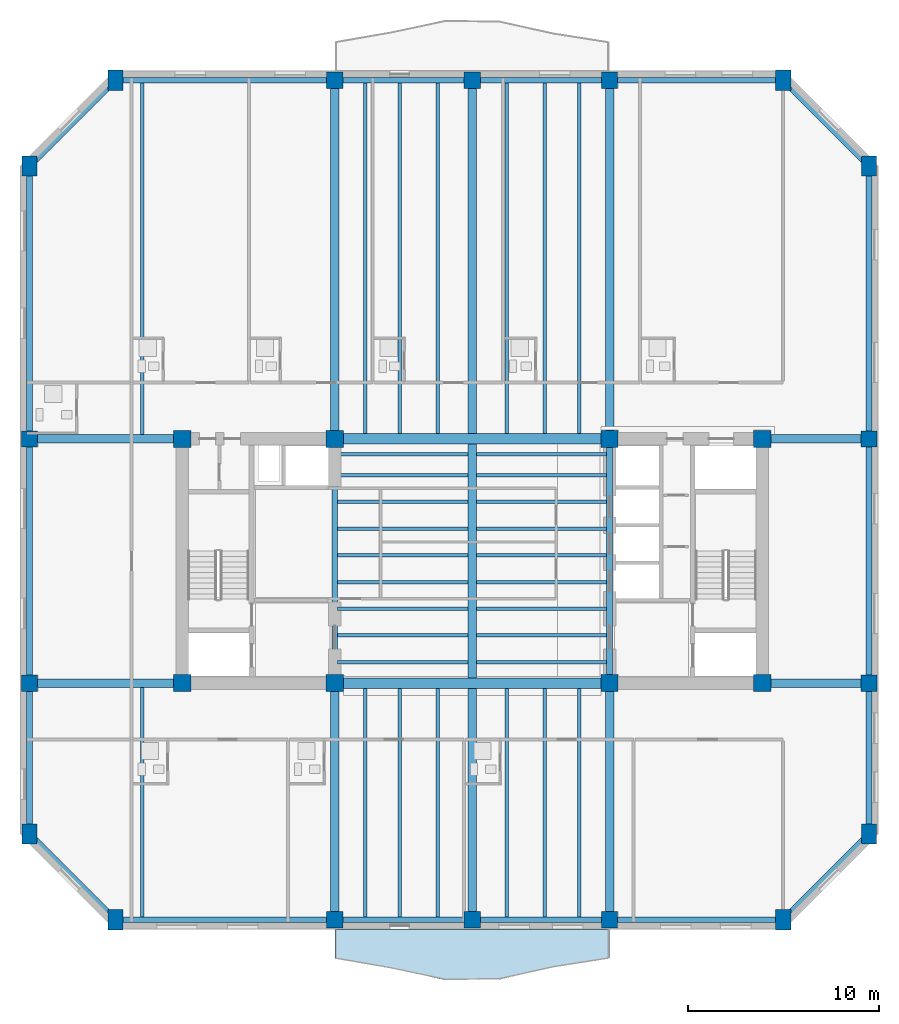
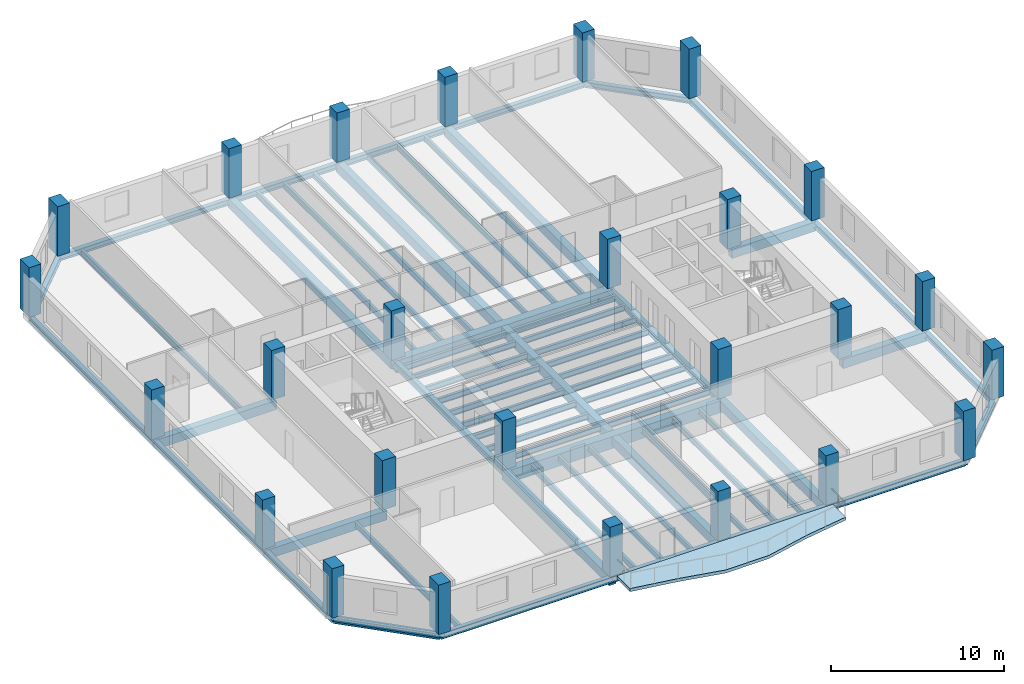
# One storey, part 1 of 10: 65 beams, 26 columns, 1 slab.
"""IFC4 building model written with IfcOpenShell, lengths in metres."""

import ifcopenshell
import ifcopenshell.guid

model = None  # the IFC model being written
_history = None  # IfcOwnerHistory: only IFC2X3 demands one
_inside = {}  # id of a spatial element -> (the spatial element, [elements in it])
_under = {}  # id of a project, library or spatial element -> (it, [spatial elements below it])
_declared = {}  # id of a project -> (the project, [libraries it declares])
_typed = {}  # id of a type object -> (the type object, [elements of that type])
_made_of = {}  # id of a material, layer set ... -> (it, [elements and type objects made of it])


def new_model(schema):
    """Start an empty IFC model of exactly this schema.

    Asked for "IFC4X3", IfcOpenShell would pick the latest addendum, in which some entities
    have other attributes; the version numbers below select the first issue.
    IFC2X3 requires an IfcOwnerHistory on every rooted entity: one is made here for all.
    """
    global model, _history
    if schema == "IFC4X3":
        model = ifcopenshell.file(schema_version=(4, 3, 0, 0))
    else:
        model = ifcopenshell.file(schema=schema)
    _inside.clear()
    _under.clear()
    _declared.clear()
    _typed.clear()
    _made_of.clear()
    _history = None
    if model.schema == "IFC2X3":
        org = make("IfcOrganization", Name="unknown")
        user = make(
            "IfcPersonAndOrganization",
            ThePerson=make("IfcPerson", FamilyName="unknown"),
            TheOrganization=org,
        )
        app = make(
            "IfcApplication",
            ApplicationDeveloper=org,
            Version="unknown",
            ApplicationFullName="unknown",
            ApplicationIdentifier="unknown",
        )
        _history = make(
            "IfcOwnerHistory",
            OwningUser=user,
            OwningApplication=app,
            ChangeAction="ADDED",
            CreationDate=0,
        )
    return model


def make(cls, **values):
    """One entity of the class cls with the attributes given. An attribute that is None is left unset."""
    return model.create_entity(
        cls, **{name: value for name, value in values.items() if value is not None}
    )


def rooted(cls, **values):
    """An entity with a GlobalId (a new one), such as an element, a storey or a relation."""
    return make(cls, GlobalId=ifcopenshell.guid.new(), OwnerHistory=_history, **values)


def si_unit(unit_type, name, prefix=None):
    """IfcSIUnit, for example si_unit("LENGTHUNIT", "METRE", prefix="MILLI")."""
    return make("IfcSIUnit", UnitType=unit_type, Prefix=prefix, Name=name)


def assignment(units):
    """IfcUnitAssignment: the units of a project."""
    return None if units is None else make("IfcUnitAssignment", Units=units)


def point(xyz):
    """IfcCartesianPoint."""
    return None if xyz is None else make("IfcCartesianPoint", Coordinates=xyz)


def direction(xyz):
    """IfcDirection."""
    return None if xyz is None else make("IfcDirection", DirectionRatios=xyz)


def frame(location, z_axis=None, x_axis=None):
    """IfcAxis2Placement3D, a coordinate frame: its origin and axes. An axis left out is left unset."""
    return make(
        "IfcAxis2Placement3D",
        Location=point(location),
        Axis=direction(z_axis),
        RefDirection=direction(x_axis),
    )


def frame_2d(location, x_axis=None):
    """IfcAxis2Placement2D, a coordinate frame in the plane: its origin and x axis."""
    return make(
        "IfcAxis2Placement2D", Location=point(location), RefDirection=direction(x_axis)
    )


def origin():
    """The frame at (0, 0, 0) with its axes left unset."""
    return frame((0.0, 0.0, 0.0))


def origin_2d():
    """The frame at (0, 0) in the plane with its x axis left unset."""
    return frame_2d((0.0, 0.0))


def place(relative_to, where):
    """IfcLocalPlacement: puts the frame where relative to a parent placement (None: the world)."""
    return make(
        "IfcLocalPlacement", PlacementRelTo=relative_to, RelativePlacement=where
    )


def context(
    kind, dimensions, precision=None, world=None, true_north=None, identifier=None
):
    """IfcGeometricRepresentationContext, for example the 3D "Model" context."""
    return make(
        "IfcGeometricRepresentationContext",
        ContextIdentifier=identifier,
        ContextType=kind,
        CoordinateSpaceDimension=dimensions,
        Precision=precision,
        WorldCoordinateSystem=world,
        TrueNorth=true_north,
    )


def subcontext(parent, identifier, kind, view, scale=None):
    """IfcGeometricRepresentationSubContext, for example "Body" below "Model"."""
    return make(
        "IfcGeometricRepresentationSubContext",
        ContextIdentifier=identifier,
        ContextType=kind,
        ParentContext=parent,
        TargetScale=scale,
        TargetView=view,
    )


def project(units=None, contexts=None):
    """IfcProject with its units and contexts."""
    return rooted(
        "IfcProject",
        Name="project",
        RepresentationContexts=contexts,
        UnitsInContext=assignment(units),
    )


def spatial(cls, under=None, at=None, **own):
    """A site, building, storey or space (cls), placed at a placement, below another one or the project."""
    s = rooted(cls, ObjectPlacement=at, **own)
    if under is not None:
        _under.setdefault(under.id(), (under, []))[1].append(s)
    return s


def polyline(points):
    """IfcPolyline through the points."""
    return make("IfcPolyline", Points=[point(p) for p in points])


def profile(cls, at=None, kind="AREA", **sizes):
    """A parametric profile (cls). Its sizes go by their IFC names, for example OverallWidth=200.0."""
    return make(cls, ProfileType=kind, Position=at, **sizes)


def rectangle(**sizes):
    """IfcRectangleProfileDef."""
    return profile("IfcRectangleProfileDef", **sizes)


def i_section(**sizes):
    """IfcIShapeProfileDef."""
    return profile("IfcIShapeProfileDef", **sizes)


def outline(outer, holes=None, kind="AREA"):
    """IfcArbitraryClosedProfileDef: a profile drawn as a closed curve; with holes, ...WithVoids."""
    if holes is None:
        return make("IfcArbitraryClosedProfileDef", ProfileType=kind, OuterCurve=outer)
    return make(
        "IfcArbitraryProfileDefWithVoids",
        ProfileType=kind,
        OuterCurve=outer,
        InnerCurves=holes,
    )


def extrude(swept, where, along, depth):
    """IfcExtrudedAreaSolid: the profile swept, set in the frame where, extruded along a direction by depth."""
    return make(
        "IfcExtrudedAreaSolid",
        SweptArea=swept,
        Position=where,
        ExtrudedDirection=direction(along),
        Depth=depth,
    )


def shape(context_of_items, identifier, shape_type, items):
    """IfcShapeRepresentation: the items that make up one representation, for example the "Body"."""
    return make(
        "IfcShapeRepresentation",
        ContextOfItems=context_of_items,
        RepresentationIdentifier=identifier,
        RepresentationType=shape_type,
        Items=items,
    )


def material(Name=None, Category=None):
    """IfcMaterial."""
    return make("IfcMaterial", Name=Name, Category=Category)


def layer(
    of_material, thickness, ventilated=None, Name=None, Category=None, Priority=None
):
    """IfcMaterialLayer: one layer of a wall or slab, of a material (None: an air gap)."""
    return make(
        "IfcMaterialLayer",
        Material=of_material,
        LayerThickness=thickness,
        IsVentilated=ventilated,
        Name=Name,
        Category=Category,
        Priority=Priority,
    )


def layer_set(layers, Name=None):
    """IfcMaterialLayerSet."""
    return make("IfcMaterialLayerSet", MaterialLayers=layers, LayerSetName=Name)


def material_profile(
    of_material, cross_section, Name=None, Category=None, Priority=None
):
    """IfcMaterialProfile: a cross section and its material."""
    return make(
        "IfcMaterialProfile",
        Name=Name,
        Material=of_material,
        Profile=cross_section,
        Priority=Priority,
        Category=Category,
    )


def profile_set(profiles, Name=None, composite=None):
    """IfcMaterialProfileSet."""
    return make(
        "IfcMaterialProfileSet",
        Name=Name,
        MaterialProfiles=profiles,
        CompositeProfile=composite,
    )


def made_of(thing, what):
    """Note that an element or type object is made of a material, layer set ...; save() writes the relation."""
    if what is not None:
        _made_of.setdefault(what.id(), (what, []))[1].append(thing)
    return thing


def type_object(cls, material=None, **own):
    """A type object (cls), such as IfcWallType, which elements share."""
    return made_of(rooted(cls, **own), material)


def element(
    cls,
    number,
    at=None,
    inside=None,
    cuts=None,
    type_object=None,
    material=None,
    context=None,
    identifier="Body",
    shape_type=None,
    held_by="IfcProductDefinitionShape",
    body=None,
    shapes=None,
    **own,
):
    """One element of the class cls, such as IfcWall. Its Tag is "e" and its number.

    at: its placement. inside: the storey or other place that contains it. cuts: it is an
    opening in that element (IfcRelVoidsElement). A single representation is given by context,
    identifier, shape_type and body (its items); several are given by shapes. held_by: the class
    of the entity that holds the representations. save() writes the other relations.
    """
    e = rooted(cls, Tag="e%d" % number, ObjectPlacement=at, **own)
    if body is not None:
        shapes = [shape(context, identifier, shape_type, body)]
    if shapes is not None:
        e.Representation = make(held_by, Representations=shapes)
    if inside is not None:
        _inside.setdefault(inside.id(), (inside, []))[1].append(e)
    if cuts is not None:
        rooted(
            "IfcRelVoidsElement", RelatingBuildingElement=cuts, RelatedOpeningElement=e
        )
    if type_object is not None:
        _typed.setdefault(type_object.id(), (type_object, []))[1].append(e)
    return made_of(e, material)


def aggregate(whole, parts):
    """IfcRelAggregates: a whole, such as a stair, and the parts it consists of."""
    return rooted("IfcRelAggregates", RelatingObject=whole, RelatedObjects=parts)


def save(model, path):
    """Write the relations noted so far, then the file.

    IfcRelAggregates (storeys below a building ...), IfcRelContainedInSpatialStructure (elements
    in a storey), IfcRelDefinesByType, IfcRelAssociatesMaterial and IfcRelDeclares: one each for
    every whole, place, type object, material and project.
    """
    for whole, parts in _under.values():
        aggregate(whole, parts)
    for where, things in _inside.values():
        rooted(
            "IfcRelContainedInSpatialStructure",
            RelatedElements=things,
            RelatingStructure=where,
        )
    for kind, things in _typed.values():
        rooted("IfcRelDefinesByType", RelatedObjects=things, RelatingType=kind)
    for what, things in _made_of.values():
        rooted("IfcRelAssociatesMaterial", RelatedObjects=things, RelatingMaterial=what)
    for by, libraries in _declared.values():
        rooted("IfcRelDeclares", RelatingContext=by, RelatedDefinitions=libraries)
    model.write(path)


model = new_model("IFC4")

# Units and contexts
model_context = context("Model", 3, precision=1e-05, world=origin(), true_north=direction((0.0, 1.0)))
body_context = subcontext(model_context, "Body", "Model", "MODEL_VIEW")
ifc_project = project(units=[si_unit("LENGTHUNIT", "METRE"), si_unit("AREAUNIT", "SQUARE_METRE"), si_unit("VOLUMEUNIT", "CUBIC_METRE"), si_unit("PLANEANGLEUNIT", "RADIAN"), si_unit("MASSUNIT", "GRAM", prefix="KILO")], contexts=[model_context])

# Site, building, storey
site_placement = place(None, origin())
site = spatial("IfcSite", under=ifc_project, at=site_placement, CompositionType="ELEMENT")
building_placement = place(site_placement, origin())
building = spatial("IfcBuilding", under=site, at=building_placement, Name="Kranthara Brick Stack", CompositionType="ELEMENT")
storey_placement = place(building_placement, frame((0.0, 0.0, 186.800048828125)))
storey = spatial("IfcBuildingStorey", under=building, at=storey_placement, Name="L48", CompositionType="ELEMENT", Elevation=186.800048828125)

# Columns
ifc_material_1 = material(Name="Concrete C60/75", Category="concrete")
ifc_material_profile_1 = material_profile(ifc_material_1, rectangle(XDim=0.800048828125, YDim=1.050048828125, at=origin_2d()), Name="RC 800x1050")
ifc_profile_set_1 = profile_set([ifc_material_profile_1], Name="Concrete C60/75")
column_type_1 = type_object("IfcColumnType", Name="COL-CHAM-800x1050", PredefinedType="COLUMN", material=ifc_profile_set_1)
for number, where, z_axis, x_axis, name in (
    (1, (9.300048828125, 8.39990234375, 0.0), (0.0, 0.0, 1.0), (1.0, 0.0, 0.0), "L48 Column 09"),
    (2, (9.300048828125, 52.39990234375, 0.0), (0.0, 0.0, 1.0), (1.0, 0.0, 0.0), "L48 Column 10"),
    (3, (44.300048828125, 8.39990234375, 0.0), (0.0, 0.0, 1.0), (1.0, 0.0, 0.0), "L48 Column 17"),
    (4, (44.300048828125, 52.39990234375, 0.0), (0.0, 0.0, 1.0), (1.0, 0.0, 0.0), "L48 Column 18"),
    (5, (4.800048828125, 12.89990234375, 0.0), (0.0, 0.0, 1.0), (1.0, 0.0, 0.0), "L48 Column 19"),
    (6, (48.800048828125, 12.89990234375, 0.0), (0.0, 0.0, 1.0), (1.0, 0.0, 0.0), "L48 Column 20"),
    (7, (4.800048828125, 47.89990234375, 0.0), (0.0, 0.0, 1.0), (1.0, 0.0, 0.0), "L48 Column 25"),
    (8, (48.800048828125, 47.89990234375, 0.0), (0.0, 0.0, 1.0), (1.0, 0.0, 0.0), "L48 Column 26"),
):
    element("IfcColumn", number, at=place(storey_placement, frame(where, z_axis=z_axis, x_axis=x_axis)), inside=storey, type_object=column_type_1, Name=name, PredefinedType="COLUMN", context=body_context, shape_type="SweptSolid", body=[
        extrude(rectangle(XDim=0.800048828125, YDim=1.050048828125, at=origin_2d()), origin(), (0.0, 0.0, 1.0), 3.5),
    ])
ifc_material_2 = material(Name="Concrete C60/75", Category="concrete")
ifc_material_profile_2 = material_profile(ifc_material_2, rectangle(XDim=0.89990234375, YDim=0.89990234375, at=origin_2d()), Name="RC 900x900")
ifc_profile_set_2 = profile_set([ifc_material_profile_2], Name="Concrete C60/75")
column_type_2 = type_object("IfcColumnType", Name="COL-CORE-900", PredefinedType="COLUMN", material=ifc_profile_set_2)
for number, where, z_axis, x_axis, name in (
    (9, (12.800048828125, 20.800048828125, 0.0), (0.0, 0.0, 1.0), (1.0, 0.0, 0.0), "L48 Column 01"),
    (10, (20.800048828125, 20.800048828125, 0.0), (0.0, 0.0, 1.0), (1.0, 0.0, 0.0), "L48 Column 02"),
    (11, (12.800048828125, 33.60009765625, 0.0), (0.0, 0.0, 1.0), (1.0, 0.0, 0.0), "L48 Column 03"),
    (12, (20.800048828125, 33.60009765625, 0.0), (0.0, 0.0, 1.0), (1.0, 0.0, 0.0), "L48 Column 04"),
    (13, (35.199951171875, 20.800048828125, 0.0), (0.0, 0.0, 1.0), (1.0, 0.0, 0.0), "L48 Column 05"),
    (14, (43.199951171875, 20.800048828125, 0.0), (0.0, 0.0, 1.0), (1.0, 0.0, 0.0), "L48 Column 06"),
    (15, (35.199951171875, 33.60009765625, 0.0), (0.0, 0.0, 1.0), (1.0, 0.0, 0.0), "L48 Column 07"),
    (16, (43.199951171875, 33.60009765625, 0.0), (0.0, 0.0, 1.0), (1.0, 0.0, 0.0), "L48 Column 08"),
):
    element("IfcColumn", number, at=place(storey_placement, frame(where, z_axis=z_axis, x_axis=x_axis)), inside=storey, type_object=column_type_2, Name=name, PredefinedType="COLUMN", context=body_context, shape_type="SweptSolid", body=[
        extrude(rectangle(XDim=0.89990234375, YDim=0.89990234375, at=origin_2d()), origin(), (0.0, 0.0, 1.0), 3.5),
    ])
ifc_material_3 = material(Name="Concrete C50/60", Category="concrete")
ifc_material_profile_3 = material_profile(ifc_material_3, rectangle(XDim=0.85009765625, YDim=0.85009765625, at=origin_2d()), Name="RC 850x850")
ifc_profile_set_3 = profile_set([ifc_material_profile_3], Name="Concrete C50/60")
column_type_3 = type_object("IfcColumnType", Name="COL-PER-850", PredefinedType="COLUMN", material=ifc_profile_set_3)
for number, where, z_axis, x_axis, name in (
    (17, (20.800048828125, 8.39990234375, 0.0), (0.0, 0.0, 1.0), (1.0, 0.0, 0.0), "L48 Column 11"),
    (18, (20.800048828125, 52.39990234375, 0.0), (0.0, 0.0, 1.0), (1.0, 0.0, 0.0), "L48 Column 12"),
    (19, (28.0, 8.39990234375, 0.0), (0.0, 0.0, 1.0), (1.0, 0.0, 0.0), "L48 Column 13"),
    (20, (28.0, 52.39990234375, 0.0), (0.0, 0.0, 1.0), (1.0, 0.0, 0.0), "L48 Column 14"),
    (21, (35.199951171875, 8.39990234375, 0.0), (0.0, 0.0, 1.0), (1.0, 0.0, 0.0), "L48 Column 15"),
    (22, (35.199951171875, 52.39990234375, 0.0), (0.0, 0.0, 1.0), (1.0, 0.0, 0.0), "L48 Column 16"),
    (23, (4.800048828125, 20.800048828125, 0.0), (0.0, 0.0, 1.0), (1.0, 0.0, 0.0), "L48 Column 21"),
    (24, (48.800048828125, 20.800048828125, 0.0), (0.0, 0.0, 1.0), (1.0, 0.0, 0.0), "L48 Column 22"),
    (25, (4.800048828125, 33.60009765625, 0.0), (0.0, 0.0, 1.0), (1.0, 0.0, 0.0), "L48 Column 23"),
    (26, (48.800048828125, 33.60009765625, 0.0), (0.0, 0.0, 1.0), (1.0, 0.0, 0.0), "L48 Column 24"),
):
    element("IfcColumn", number, at=place(storey_placement, frame(where, z_axis=z_axis, x_axis=x_axis)), inside=storey, type_object=column_type_3, Name=name, PredefinedType="COLUMN", context=body_context, shape_type="SweptSolid", body=[
        extrude(rectangle(XDim=0.85009765625, YDim=0.85009765625, at=origin_2d()), origin(), (0.0, 0.0, 1.0), 3.5),
    ])

# Beams
ifc_material_4 = material(Name="Concrete C50/60", Category="concrete")
ifc_material_profile_4 = material_profile(ifc_material_4, rectangle(XDim=0.550048828125, YDim=0.85009765625, at=origin_2d()), Name="RC 550x850")
ifc_profile_set_4 = profile_set([ifc_material_profile_4], Name="Concrete C50/60")
beam_type_1 = type_object("IfcBeamType", Name="BM-CPL-RC850", PredefinedType="LINTEL", material=ifc_profile_set_4)
for number, where, z_axis, x_axis, name in (
    (27, (20.800048828125, 20.800048828125, -0.72509765625), (1.0, 0.0, 0.0), (0.0, 1.0, 0.0), "L48 Core Coupling Beam 001"),
    (28, (20.800048828125, 33.60009765625, -0.72509765625), (1.0, 0.0, 0.0), (0.0, 1.0, 0.0), "L48 Core Coupling Beam 002"),
):
    element("IfcBeam", number, at=place(storey_placement, frame(where, z_axis=z_axis, x_axis=x_axis)), inside=storey, type_object=beam_type_1, Name=name, PredefinedType="LINTEL", context=body_context, shape_type="SweptSolid", body=[
        extrude(rectangle(XDim=0.550048828125, YDim=0.85009765625, at=origin_2d()), origin(), (0.0, 0.0, 1.0), 14.39990234375),
    ])
ifc_material_5 = material(Name="Post-tensioned concrete C45/55", Category="concrete")
ifc_material_profile_5 = material_profile(ifc_material_5, rectangle(XDim=0.449951171875, YDim=0.64990234375, at=origin_2d()), Name="PT 450x650")
ifc_profile_set_5 = profile_set([ifc_material_profile_5], Name="Post-tensioned concrete C45/55")
beam_type_2 = type_object("IfcBeamType", Name="BM-FLR-PT650", PredefinedType="BEAM", material=ifc_profile_set_5)
beam_1_placement = place(storey_placement, frame((20.800048828125, 8.39990234375, -0.625), z_axis=(0.0, 1.0, 0.0), x_axis=(-1.0, 0.0, 0.0)))
element("IfcBeam", 29, at=beam_1_placement, inside=storey, type_object=beam_type_2, Name="L48 Primary Grid Girder 023", PredefinedType="BEAM", context=body_context, shape_type="SweptSolid", body=[
    extrude(rectangle(XDim=0.449951171875, YDim=0.64990234375, at=origin_2d()), origin(), (0.0, 0.0, 1.0), 12.400146484375),
])
beam_2_placement = place(storey_placement, frame((20.800048828125, 33.60009765625, -0.625), z_axis=(0.0, 1.0, 0.0), x_axis=(-1.0, 0.0, 0.0)))
element("IfcBeam", 30, at=beam_2_placement, inside=storey, type_object=beam_type_2, Name="L48 Primary Grid Girder 024", PredefinedType="BEAM", context=body_context, shape_type="SweptSolid", body=[
    extrude(rectangle(XDim=0.449951171875, YDim=0.64990234375, at=origin_2d()), origin(), (0.0, 0.0, 1.0), 18.7998046875),
])
beam_3_placement = place(storey_placement, frame((28.0, 8.39990234375, -0.625), z_axis=(0.0, 1.0, 0.0), x_axis=(-1.0, 0.0, 0.0)))
element("IfcBeam", 31, at=beam_3_placement, inside=storey, type_object=beam_type_2, Name="L48 Primary Grid Girder 025", PredefinedType="BEAM", context=body_context, shape_type="SweptSolid", body=[
    extrude(rectangle(XDim=0.449951171875, YDim=0.64990234375, at=origin_2d()), origin(), (0.0, 0.0, 1.0), 12.125),
])
beam_4_placement = place(storey_placement, frame((28.0, 21.074951171875, -0.625), z_axis=(0.0, 1.0, 0.0), x_axis=(-1.0, 0.0, 0.0)))
element("IfcBeam", 32, at=beam_4_placement, inside=storey, type_object=beam_type_2, Name="L48 Central Spine Girder 026", PredefinedType="BEAM", context=body_context, shape_type="SweptSolid", body=[
    extrude(rectangle(XDim=0.449951171875, YDim=0.64990234375, at=origin_2d()), origin(), (0.0, 0.0, 1.0), 12.25),
])
beam_5_placement = place(storey_placement, frame((28.0, 33.875, -0.625), z_axis=(0.0, 1.0, 0.0), x_axis=(-1.0, 0.0, 0.0)))
element("IfcBeam", 33, at=beam_5_placement, inside=storey, type_object=beam_type_2, Name="L48 Primary Grid Girder 027", PredefinedType="BEAM", context=body_context, shape_type="SweptSolid", body=[
    extrude(rectangle(XDim=0.449951171875, YDim=0.64990234375, at=origin_2d()), origin(), (0.0, 0.0, 1.0), 18.52490234375),
])
beam_6_placement = place(storey_placement, frame((35.199951171875, 8.39990234375, -0.625), z_axis=(0.0, 1.0, 0.0), x_axis=(-1.0, 0.0, 0.0)))
element("IfcBeam", 34, at=beam_6_placement, inside=storey, type_object=beam_type_2, Name="L48 Primary Grid Girder 028", PredefinedType="BEAM", context=body_context, shape_type="SweptSolid", body=[
    extrude(rectangle(XDim=0.449951171875, YDim=0.64990234375, at=origin_2d()), origin(), (0.0, 0.0, 1.0), 12.400146484375),
])
beam_7_placement = place(storey_placement, frame((35.199951171875, 33.60009765625, -0.625), z_axis=(0.0, 1.0, 0.0), x_axis=(-1.0, 0.0, 0.0)))
element("IfcBeam", 35, at=beam_7_placement, inside=storey, type_object=beam_type_2, Name="L48 Primary Grid Girder 029", PredefinedType="BEAM", context=body_context, shape_type="SweptSolid", body=[
    extrude(rectangle(XDim=0.449951171875, YDim=0.64990234375, at=origin_2d()), origin(), (0.0, 0.0, 1.0), 18.7998046875),
])
beam_8_placement = place(storey_placement, frame((4.800048828125, 20.800048828125, -0.625), z_axis=(1.0, 0.0, 0.0), x_axis=(0.0, 1.0, 0.0)))
element("IfcBeam", 36, at=beam_8_placement, inside=storey, type_object=beam_type_2, Name="L48 Primary Grid Girder 030", PredefinedType="BEAM", context=body_context, shape_type="SweptSolid", body=[
    extrude(rectangle(XDim=0.449951171875, YDim=0.64990234375, at=origin_2d()), origin(), (0.0, 0.0, 1.0), 8.0),
])
beam_9_placement = place(storey_placement, frame((43.199951171875, 20.800048828125, -0.625), z_axis=(1.0, 0.0, 0.0), x_axis=(0.0, 1.0, 0.0)))
element("IfcBeam", 37, at=beam_9_placement, inside=storey, type_object=beam_type_2, Name="L48 Primary Grid Girder 031", PredefinedType="BEAM", context=body_context, shape_type="SweptSolid", body=[
    extrude(rectangle(XDim=0.449951171875, YDim=0.64990234375, at=origin_2d()), origin(), (0.0, 0.0, 1.0), 5.60009765625),
])
beam_10_placement = place(storey_placement, frame((4.800048828125, 33.60009765625, -0.625), z_axis=(1.0, 0.0, 0.0), x_axis=(0.0, 1.0, 0.0)))
element("IfcBeam", 38, at=beam_10_placement, inside=storey, type_object=beam_type_2, Name="L48 Primary Grid Girder 032", PredefinedType="BEAM", context=body_context, shape_type="SweptSolid", body=[
    extrude(rectangle(XDim=0.449951171875, YDim=0.64990234375, at=origin_2d()), origin(), (0.0, 0.0, 1.0), 8.0),
])
beam_11_placement = place(storey_placement, frame((43.199951171875, 33.60009765625, -0.625), z_axis=(1.0, 0.0, 0.0), x_axis=(0.0, 1.0, 0.0)))
element("IfcBeam", 39, at=beam_11_placement, inside=storey, type_object=beam_type_2, Name="L48 Primary Grid Girder 033", PredefinedType="BEAM", context=body_context, shape_type="SweptSolid", body=[
    extrude(rectangle(XDim=0.449951171875, YDim=0.64990234375, at=origin_2d()), origin(), (0.0, 0.0, 1.0), 5.60009765625),
])
ifc_material_6 = material(Name="Steel S355", Category="steel")
ifc_material_profile_6 = material_profile(ifc_material_6, i_section(OverallWidth=0.179931640625, OverallDepth=0.39990234375, WebThickness=0.008544921875, FlangeThickness=0.013427734375, at=origin_2d()), Name="IPE 400")
ifc_profile_set_6 = profile_set([ifc_material_profile_6], Name="Steel S355")
beam_type_3 = type_object("IfcBeamType", Name="BM-JST-IPE400", PredefinedType="JOIST", material=ifc_profile_set_6)
for number, where, z_axis, x_axis, name in (
    (40, (20.949951171875, 21.89990234375, -0.5), (1.0, 0.0, 0.0), (0.0, 1.0, 0.0), "L48 Central Floor Joist 034"),
    (41, (28.22509765625, 21.89990234375, -0.5), (1.0, 0.0, 0.0), (0.0, 1.0, 0.0), "L48 Central Floor Joist 035"),
    (42, (20.949951171875, 23.300048828125, -0.5), (1.0, 0.0, 0.0), (0.0, 1.0, 0.0), "L48 Central Floor Joist 036"),
    (43, (28.22509765625, 23.300048828125, -0.5), (1.0, 0.0, 0.0), (0.0, 1.0, 0.0), "L48 Central Floor Joist 037"),
    (44, (20.949951171875, 24.699951171875, -0.5), (1.0, 0.0, 0.0), (0.0, 1.0, 0.0), "L48 Central Floor Joist 038"),
    (45, (28.22509765625, 24.699951171875, -0.5), (1.0, 0.0, 0.0), (0.0, 1.0, 0.0), "L48 Central Floor Joist 039"),
    (46, (20.949951171875, 26.10009765625, -0.5), (1.0, 0.0, 0.0), (0.0, 1.0, 0.0), "L48 Central Floor Joist 040"),
    (47, (28.22509765625, 26.10009765625, -0.5), (1.0, 0.0, 0.0), (0.0, 1.0, 0.0), "L48 Central Floor Joist 041"),
    (48, (20.949951171875, 27.5, -0.5), (1.0, 0.0, 0.0), (0.0, 1.0, 0.0), "L48 Central Floor Joist 042"),
    (49, (28.22509765625, 27.5, -0.5), (1.0, 0.0, 0.0), (0.0, 1.0, 0.0), "L48 Central Floor Joist 043"),
    (50, (20.949951171875, 28.89990234375, -0.5), (1.0, 0.0, 0.0), (0.0, 1.0, 0.0), "L48 Central Floor Joist 044"),
    (51, (28.22509765625, 28.89990234375, -0.5), (1.0, 0.0, 0.0), (0.0, 1.0, 0.0), "L48 Central Floor Joist 045"),
    (52, (20.949951171875, 30.300048828125, -0.5), (1.0, 0.0, 0.0), (0.0, 1.0, 0.0), "L48 Central Floor Joist 046"),
    (53, (28.22509765625, 30.300048828125, -0.5), (1.0, 0.0, 0.0), (0.0, 1.0, 0.0), "L48 Central Floor Joist 047"),
    (54, (20.949951171875, 31.699951171875, -0.5), (1.0, 0.0, 0.0), (0.0, 1.0, 0.0), "L48 Central Floor Joist 048"),
    (55, (28.22509765625, 31.699951171875, -0.5), (1.0, 0.0, 0.0), (0.0, 1.0, 0.0), "L48 Central Floor Joist 049"),
    (56, (20.949951171875, 32.800048828125, -0.5), (1.0, 0.0, 0.0), (0.0, 1.0, 0.0), "L48 Central Floor Joist 050"),
    (57, (28.22509765625, 32.800048828125, -0.5), (1.0, 0.0, 0.0), (0.0, 1.0, 0.0), "L48 Central Floor Joist 051"),
):
    element("IfcBeam", number, at=place(storey_placement, frame(where, z_axis=z_axis, x_axis=x_axis)), inside=storey, type_object=beam_type_3, Name=name, PredefinedType="JOIST", context=body_context, shape_type="SweptSolid", body=[
        extrude(i_section(OverallWidth=0.179931640625, OverallDepth=0.39990234375, WebThickness=0.008544921875, FlangeThickness=0.013427734375, at=origin_2d()), origin(), (0.0, 0.0, 1.0), 6.824951171875),
    ])
beam_12_placement = place(storey_placement, frame((10.699951171875, 8.550048828125, -0.5), z_axis=(0.0, 1.0, 0.0), x_axis=(-1.0, 0.0, 0.0)))
element("IfcBeam", 58, at=beam_12_placement, inside=storey, type_object=beam_type_3, Name="L48 South Wing Floor Joist 052", PredefinedType="JOIST", context=body_context, shape_type="SweptSolid", body=[
    extrude(i_section(OverallWidth=0.179931640625, OverallDepth=0.39990234375, WebThickness=0.008544921875, FlangeThickness=0.013427734375, at=origin_2d()), origin(), (0.0, 0.0, 1.0), 12.02490234375),
])
beam_13_placement = place(storey_placement, frame((10.699951171875, 33.824951171875, -0.5), z_axis=(0.0, 1.0, 0.0), x_axis=(-1.0, 0.0, 0.0)))
element("IfcBeam", 59, at=beam_13_placement, inside=storey, type_object=beam_type_3, Name="L48 North Wing Floor Joist 053", PredefinedType="JOIST", context=body_context, shape_type="SweptSolid", body=[
    extrude(i_section(OverallWidth=0.179931640625, OverallDepth=0.39990234375, WebThickness=0.008544921875, FlangeThickness=0.013427734375, at=origin_2d()), origin(), (0.0, 0.0, 1.0), 18.425048828125),
])
beam_14_placement = place(storey_placement, frame((22.39990234375, 8.550048828125, -0.5), z_axis=(0.0, 1.0, 0.0), x_axis=(-1.0, 0.0, 0.0)))
element("IfcBeam", 60, at=beam_14_placement, inside=storey, type_object=beam_type_3, Name="L48 South Wing Floor Joist 054", PredefinedType="JOIST", context=body_context, shape_type="SweptSolid", body=[
    extrude(i_section(OverallWidth=0.179931640625, OverallDepth=0.39990234375, WebThickness=0.008544921875, FlangeThickness=0.013427734375, at=origin_2d()), origin(), (0.0, 0.0, 1.0), 11.974853515625),
])
beam_15_placement = place(storey_placement, frame((22.39990234375, 33.875, -0.5), z_axis=(0.0, 1.0, 0.0), x_axis=(-1.0, 0.0, 0.0)))
element("IfcBeam", 61, at=beam_15_placement, inside=storey, type_object=beam_type_3, Name="L48 North Wing Floor Joist 055", PredefinedType="JOIST", context=body_context, shape_type="SweptSolid", body=[
    extrude(i_section(OverallWidth=0.179931640625, OverallDepth=0.39990234375, WebThickness=0.008544921875, FlangeThickness=0.013427734375, at=origin_2d()), origin(), (0.0, 0.0, 1.0), 18.375),
])
beam_16_placement = place(storey_placement, frame((24.199951171875, 8.550048828125, -0.5), z_axis=(0.0, 1.0, 0.0), x_axis=(-1.0, 0.0, 0.0)))
element("IfcBeam", 62, at=beam_16_placement, inside=storey, type_object=beam_type_3, Name="L48 South Wing Floor Joist 056", PredefinedType="JOIST", context=body_context, shape_type="SweptSolid", body=[
    extrude(i_section(OverallWidth=0.179931640625, OverallDepth=0.39990234375, WebThickness=0.008544921875, FlangeThickness=0.013427734375, at=origin_2d()), origin(), (0.0, 0.0, 1.0), 11.974853515625),
])
beam_17_placement = place(storey_placement, frame((24.199951171875, 33.875, -0.5), z_axis=(0.0, 1.0, 0.0), x_axis=(-1.0, 0.0, 0.0)))
element("IfcBeam", 63, at=beam_17_placement, inside=storey, type_object=beam_type_3, Name="L48 North Wing Floor Joist 057", PredefinedType="JOIST", context=body_context, shape_type="SweptSolid", body=[
    extrude(i_section(OverallWidth=0.179931640625, OverallDepth=0.39990234375, WebThickness=0.008544921875, FlangeThickness=0.013427734375, at=origin_2d()), origin(), (0.0, 0.0, 1.0), 18.375),
])
beam_18_placement = place(storey_placement, frame((26.199951171875, 8.550048828125, -0.5), z_axis=(0.0, 1.0, 0.0), x_axis=(-1.0, 0.0, 0.0)))
element("IfcBeam", 64, at=beam_18_placement, inside=storey, type_object=beam_type_3, Name="L48 South Wing Floor Joist 058", PredefinedType="JOIST", context=body_context, shape_type="SweptSolid", body=[
    extrude(i_section(OverallWidth=0.179931640625, OverallDepth=0.39990234375, WebThickness=0.008544921875, FlangeThickness=0.013427734375, at=origin_2d()), origin(), (0.0, 0.0, 1.0), 11.974853515625),
])
beam_19_placement = place(storey_placement, frame((26.199951171875, 33.875, -0.5), z_axis=(0.0, 1.0, 0.0), x_axis=(-1.0, 0.0, 0.0)))
element("IfcBeam", 65, at=beam_19_placement, inside=storey, type_object=beam_type_3, Name="L48 North Wing Floor Joist 059", PredefinedType="JOIST", context=body_context, shape_type="SweptSolid", body=[
    extrude(i_section(OverallWidth=0.179931640625, OverallDepth=0.39990234375, WebThickness=0.008544921875, FlangeThickness=0.013427734375, at=origin_2d()), origin(), (0.0, 0.0, 1.0), 18.375),
])
beam_20_placement = place(storey_placement, frame((29.800048828125, 8.550048828125, -0.5), z_axis=(0.0, 1.0, 0.0), x_axis=(-1.0, 0.0, 0.0)))
element("IfcBeam", 66, at=beam_20_placement, inside=storey, type_object=beam_type_3, Name="L48 South Wing Floor Joist 060", PredefinedType="JOIST", context=body_context, shape_type="SweptSolid", body=[
    extrude(i_section(OverallWidth=0.179931640625, OverallDepth=0.39990234375, WebThickness=0.008544921875, FlangeThickness=0.013427734375, at=origin_2d()), origin(), (0.0, 0.0, 1.0), 11.974853515625),
])
beam_21_placement = place(storey_placement, frame((29.800048828125, 33.875, -0.5), z_axis=(0.0, 1.0, 0.0), x_axis=(-1.0, 0.0, 0.0)))
element("IfcBeam", 67, at=beam_21_placement, inside=storey, type_object=beam_type_3, Name="L48 North Wing Floor Joist 061", PredefinedType="JOIST", context=body_context, shape_type="SweptSolid", body=[
    extrude(i_section(OverallWidth=0.179931640625, OverallDepth=0.39990234375, WebThickness=0.008544921875, FlangeThickness=0.013427734375, at=origin_2d()), origin(), (0.0, 0.0, 1.0), 18.375),
])
beam_22_placement = place(storey_placement, frame((31.800048828125, 8.550048828125, -0.5), z_axis=(0.0, 1.0, 0.0), x_axis=(-1.0, 0.0, 0.0)))
element("IfcBeam", 68, at=beam_22_placement, inside=storey, type_object=beam_type_3, Name="L48 South Wing Floor Joist 062", PredefinedType="JOIST", context=body_context, shape_type="SweptSolid", body=[
    extrude(i_section(OverallWidth=0.179931640625, OverallDepth=0.39990234375, WebThickness=0.008544921875, FlangeThickness=0.013427734375, at=origin_2d()), origin(), (0.0, 0.0, 1.0), 11.974853515625),
])
beam_23_placement = place(storey_placement, frame((31.800048828125, 33.875, -0.5), z_axis=(0.0, 1.0, 0.0), x_axis=(-1.0, 0.0, 0.0)))
element("IfcBeam", 69, at=beam_23_placement, inside=storey, type_object=beam_type_3, Name="L48 North Wing Floor Joist 063", PredefinedType="JOIST", context=body_context, shape_type="SweptSolid", body=[
    extrude(i_section(OverallWidth=0.179931640625, OverallDepth=0.39990234375, WebThickness=0.008544921875, FlangeThickness=0.013427734375, at=origin_2d()), origin(), (0.0, 0.0, 1.0), 18.375),
])
beam_24_placement = place(storey_placement, frame((33.60009765625, 8.550048828125, -0.5), z_axis=(0.0, 1.0, 0.0), x_axis=(-1.0, 0.0, 0.0)))
element("IfcBeam", 70, at=beam_24_placement, inside=storey, type_object=beam_type_3, Name="L48 South Wing Floor Joist 064", PredefinedType="JOIST", context=body_context, shape_type="SweptSolid", body=[
    extrude(i_section(OverallWidth=0.179931640625, OverallDepth=0.39990234375, WebThickness=0.008544921875, FlangeThickness=0.013427734375, at=origin_2d()), origin(), (0.0, 0.0, 1.0), 11.974853515625),
])
beam_25_placement = place(storey_placement, frame((33.60009765625, 33.875, -0.5), z_axis=(0.0, 1.0, 0.0), x_axis=(-1.0, 0.0, 0.0)))
element("IfcBeam", 71, at=beam_25_placement, inside=storey, type_object=beam_type_3, Name="L48 North Wing Floor Joist 065", PredefinedType="JOIST", context=body_context, shape_type="SweptSolid", body=[
    extrude(i_section(OverallWidth=0.179931640625, OverallDepth=0.39990234375, WebThickness=0.008544921875, FlangeThickness=0.013427734375, at=origin_2d()), origin(), (0.0, 0.0, 1.0), 18.375),
])
ifc_material_7 = material(Name="Steel S355", Category="steel")
ifc_material_profile_7 = material_profile(ifc_material_7, i_section(OverallWidth=0.300048828125, OverallDepth=0.39990234375, WebThickness=0.013427734375, FlangeThickness=0.02392578125, at=origin_2d()), Name="HEB 400")
ifc_profile_set_7 = profile_set([ifc_material_profile_7], Name="Steel S355")
beam_type_4 = type_object("IfcBeamType", Name="BM-STL-HEB400", PredefinedType="SPANDREL", material=ifc_profile_set_7)
beam_26_placement = place(storey_placement, frame((9.300048828125, 8.39990234375, -0.5), z_axis=(1.0, 0.0, 0.0), x_axis=(0.0, 1.0, 0.0)))
element("IfcBeam", 72, at=beam_26_placement, inside=storey, type_object=beam_type_4, Name="L48 Perimeter Spandrel Beam 005", PredefinedType="SPANDREL", context=body_context, shape_type="SweptSolid", body=[
    extrude(i_section(OverallWidth=0.300048828125, OverallDepth=0.39990234375, WebThickness=0.013427734375, FlangeThickness=0.02392578125, at=origin_2d()), origin(), (0.0, 0.0, 1.0), 11.5),
])
for number, where, z_axis, x_axis, name in (
    (73, (20.800048828125, 8.39990234375, -0.5), (1.0, 0.0, 0.0), (0.0, 1.0, 0.0), "L48 Perimeter Spandrel Beam 006"),
    (74, (28.0, 8.39990234375, -0.5), (1.0, 0.0, 0.0), (0.0, 1.0, 0.0), "L48 Perimeter Spandrel Beam 007"),
):
    element("IfcBeam", number, at=place(storey_placement, frame(where, z_axis=z_axis, x_axis=x_axis)), inside=storey, type_object=beam_type_4, Name=name, PredefinedType="SPANDREL", context=body_context, shape_type="SweptSolid", body=[
        extrude(i_section(OverallWidth=0.300048828125, OverallDepth=0.39990234375, WebThickness=0.013427734375, FlangeThickness=0.02392578125, at=origin_2d()), origin(), (0.0, 0.0, 1.0), 7.199951171875),
    ])
beam_27_placement = place(storey_placement, frame((35.199951171875, 8.39990234375, -0.5), z_axis=(1.0, 0.0, 0.0), x_axis=(0.0, 1.0, 0.0)))
element("IfcBeam", 75, at=beam_27_placement, inside=storey, type_object=beam_type_4, Name="L48 Perimeter Spandrel Beam 008", PredefinedType="SPANDREL", context=body_context, shape_type="SweptSolid", body=[
    extrude(i_section(OverallWidth=0.300048828125, OverallDepth=0.39990234375, WebThickness=0.013427734375, FlangeThickness=0.02392578125, at=origin_2d()), origin(), (0.0, 0.0, 1.0), 9.10009765625),
])
beam_28_placement = place(storey_placement, frame((9.300048828125, 52.39990234375, -0.5), z_axis=(1.0, 0.0, 0.0), x_axis=(0.0, 1.0, 0.0)))
element("IfcBeam", 76, at=beam_28_placement, inside=storey, type_object=beam_type_4, Name="L48 Perimeter Spandrel Beam 009", PredefinedType="SPANDREL", context=body_context, shape_type="SweptSolid", body=[
    extrude(i_section(OverallWidth=0.300048828125, OverallDepth=0.39990234375, WebThickness=0.013427734375, FlangeThickness=0.02392578125, at=origin_2d()), origin(), (0.0, 0.0, 1.0), 11.5),
])
for number, where, z_axis, x_axis, name in (
    (77, (20.800048828125, 52.39990234375, -0.5), (1.0, 0.0, 0.0), (0.0, 1.0, 0.0), "L48 Perimeter Spandrel Beam 010"),
    (78, (28.0, 52.39990234375, -0.5), (1.0, 0.0, 0.0), (0.0, 1.0, 0.0), "L48 Perimeter Spandrel Beam 011"),
):
    element("IfcBeam", number, at=place(storey_placement, frame(where, z_axis=z_axis, x_axis=x_axis)), inside=storey, type_object=beam_type_4, Name=name, PredefinedType="SPANDREL", context=body_context, shape_type="SweptSolid", body=[
        extrude(i_section(OverallWidth=0.300048828125, OverallDepth=0.39990234375, WebThickness=0.013427734375, FlangeThickness=0.02392578125, at=origin_2d()), origin(), (0.0, 0.0, 1.0), 7.199951171875),
    ])
beam_29_placement = place(storey_placement, frame((35.199951171875, 52.39990234375, -0.5), z_axis=(1.0, 0.0, 0.0), x_axis=(0.0, 1.0, 0.0)))
element("IfcBeam", 79, at=beam_29_placement, inside=storey, type_object=beam_type_4, Name="L48 Perimeter Spandrel Beam 012", PredefinedType="SPANDREL", context=body_context, shape_type="SweptSolid", body=[
    extrude(i_section(OverallWidth=0.300048828125, OverallDepth=0.39990234375, WebThickness=0.013427734375, FlangeThickness=0.02392578125, at=origin_2d()), origin(), (0.0, 0.0, 1.0), 9.10009765625),
])
beam_30_placement = place(storey_placement, frame((4.800048828125, 12.89990234375, -0.5), z_axis=(0.0, 1.0, 0.0), x_axis=(-1.0, 0.0, 0.0)))
element("IfcBeam", 80, at=beam_30_placement, inside=storey, type_object=beam_type_4, Name="L48 Perimeter Spandrel Beam 013", PredefinedType="SPANDREL", context=body_context, shape_type="SweptSolid", body=[
    extrude(i_section(OverallWidth=0.300048828125, OverallDepth=0.39990234375, WebThickness=0.013427734375, FlangeThickness=0.02392578125, at=origin_2d()), origin(), (0.0, 0.0, 1.0), 7.900146484375),
])
beam_31_placement = place(storey_placement, frame((4.800048828125, 20.800048828125, -0.5), z_axis=(0.0, 1.0, 0.0), x_axis=(-1.0, 0.0, 0.0)))
element("IfcBeam", 81, at=beam_31_placement, inside=storey, type_object=beam_type_4, Name="L48 Perimeter Spandrel Beam 014", PredefinedType="SPANDREL", context=body_context, shape_type="SweptSolid", body=[
    extrude(i_section(OverallWidth=0.300048828125, OverallDepth=0.39990234375, WebThickness=0.013427734375, FlangeThickness=0.02392578125, at=origin_2d()), origin(), (0.0, 0.0, 1.0), 12.800048828125),
])
beam_32_placement = place(storey_placement, frame((4.800048828125, 33.60009765625, -0.5), z_axis=(0.0, 1.0, 0.0), x_axis=(-1.0, 0.0, 0.0)))
element("IfcBeam", 82, at=beam_32_placement, inside=storey, type_object=beam_type_4, Name="L48 Perimeter Spandrel Beam 015", PredefinedType="SPANDREL", context=body_context, shape_type="SweptSolid", body=[
    extrude(i_section(OverallWidth=0.300048828125, OverallDepth=0.39990234375, WebThickness=0.013427734375, FlangeThickness=0.02392578125, at=origin_2d()), origin(), (0.0, 0.0, 1.0), 14.2998046875),
])
beam_33_placement = place(storey_placement, frame((48.800048828125, 12.89990234375, -0.5), z_axis=(0.0, 1.0, 0.0), x_axis=(-1.0, 0.0, 0.0)))
element("IfcBeam", 83, at=beam_33_placement, inside=storey, type_object=beam_type_4, Name="L48 Perimeter Spandrel Beam 016", PredefinedType="SPANDREL", context=body_context, shape_type="SweptSolid", body=[
    extrude(i_section(OverallWidth=0.300048828125, OverallDepth=0.39990234375, WebThickness=0.013427734375, FlangeThickness=0.02392578125, at=origin_2d()), origin(), (0.0, 0.0, 1.0), 7.900146484375),
])
beam_34_placement = place(storey_placement, frame((48.800048828125, 20.800048828125, -0.5), z_axis=(0.0, 1.0, 0.0), x_axis=(-1.0, 0.0, 0.0)))
element("IfcBeam", 84, at=beam_34_placement, inside=storey, type_object=beam_type_4, Name="L48 Perimeter Spandrel Beam 017", PredefinedType="SPANDREL", context=body_context, shape_type="SweptSolid", body=[
    extrude(i_section(OverallWidth=0.300048828125, OverallDepth=0.39990234375, WebThickness=0.013427734375, FlangeThickness=0.02392578125, at=origin_2d()), origin(), (0.0, 0.0, 1.0), 12.800048828125),
])
beam_35_placement = place(storey_placement, frame((48.800048828125, 33.60009765625, -0.5), z_axis=(0.0, 1.0, 0.0), x_axis=(-1.0, 0.0, 0.0)))
element("IfcBeam", 85, at=beam_35_placement, inside=storey, type_object=beam_type_4, Name="L48 Perimeter Spandrel Beam 018", PredefinedType="SPANDREL", context=body_context, shape_type="SweptSolid", body=[
    extrude(i_section(OverallWidth=0.300048828125, OverallDepth=0.39990234375, WebThickness=0.013427734375, FlangeThickness=0.02392578125, at=origin_2d()), origin(), (0.0, 0.0, 1.0), 14.2998046875),
])
for number, where, z_axis, x_axis, name in (
    (86, (9.300048828125, 8.39990234375, -0.5), (-0.707106781187, 0.707106781187, 0.0), (-0.707106781187, -0.707106781187, 0.0), "L48 Chamfer Corner Spandrel 019"),
    (87, (44.300048828125, 8.39990234375, -0.5), (0.707106781187, 0.707106781187, 0.0), (-0.707106781187, 0.707106781187, 0.0), "L48 Chamfer Corner Spandrel 020"),
    (88, (9.300048828125, 52.39990234375, -0.5), (-0.707106781187, -0.707106781187, 0.0), (0.707106781187, -0.707106781187, 0.0), "L48 Chamfer Corner Spandrel 021"),
    (89, (44.300048828125, 52.39990234375, -0.5), (0.707106781187, -0.707106781187, 0.0), (0.707106781187, 0.707106781187, 0.0), "L48 Chamfer Corner Spandrel 022"),
):
    element("IfcBeam", number, at=place(storey_placement, frame(where, z_axis=z_axis, x_axis=x_axis)), inside=storey, type_object=beam_type_4, Name=name, PredefinedType="SPANDREL", context=body_context, shape_type="SweptSolid", body=[
        extrude(i_section(OverallWidth=0.300048828125, OverallDepth=0.39990234375, WebThickness=0.013427734375, FlangeThickness=0.02392578125, at=origin_2d()), origin(), (0.0, 0.0, 1.0), 6.364013671875),
    ])
ifc_material_8 = material(Name="Steel S355", Category="steel")
ifc_material_profile_8 = material_profile(ifc_material_8, i_section(OverallWidth=0.300048828125, OverallDepth=0.449951171875, WebThickness=0.013916015625, FlangeThickness=0.02587890625, at=origin_2d()), Name="HEB 450")
ifc_profile_set_8 = profile_set([ifc_material_profile_8], Name="Steel S355")
beam_type_5 = type_object("IfcBeamType", Name="BM-STL-HEB450", PredefinedType="SPANDREL", material=ifc_profile_set_8)
for number, where, z_axis, x_axis, name in (
    (90, (20.800048828125, 20.800048828125, -0.525146484375), (0.0, 1.0, 0.0), (-1.0, 0.0, 0.0), "L48 Core Edge Tie Beam 003"),
    (91, (35.199951171875, 20.800048828125, -0.525146484375), (0.0, 1.0, 0.0), (-1.0, 0.0, 0.0), "L48 Core Edge Tie Beam 004"),
):
    element("IfcBeam", number, at=place(storey_placement, frame(where, z_axis=z_axis, x_axis=x_axis)), inside=storey, type_object=beam_type_5, Name=name, PredefinedType="SPANDREL", context=body_context, shape_type="SweptSolid", body=[
        extrude(i_section(OverallWidth=0.300048828125, OverallDepth=0.449951171875, WebThickness=0.013916015625, FlangeThickness=0.02587890625, at=origin_2d()), origin(), (0.0, 0.0, 1.0), 12.800048828125),
    ])

# Slab
ifc_material_9 = material(Name="Concrete C45/55", Category="concrete")
ifc_layer = layer(ifc_material_9, 0.219970703125)
ifc_layer_set = layer_set([ifc_layer], Name="Concrete C45/55")
slab_type = type_object("IfcSlabType", Name="SLB-BALC-220", PredefinedType="FLOOR", material=ifc_layer_set)
slab_placement = place(storey_placement, frame((0.0, 0.0, -0.219970703125)))
element("IfcSlab", 92, at=slab_placement, inside=storey, type_object=slab_type, Name="L48 South Rippling Balcony Slab", PredefinedType="FLOOR", context=body_context, shape_type="SweptSolid", body=[
    extrude(outline(polyline([(20.800048828125, 7.89990234375), (35.199951171875, 7.89990234375), (35.199951171875, 6.3955078125), (32.320068359375, 5.93505859375), (29.43994140625, 5.2734375), (26.56005859375, 5.242431640625), (23.679931640625, 5.88134765625), (20.800048828125, 6.38623046875), (20.800048828125, 7.89990234375)])), origin(), (0.0, 0.0, 1.0), 0.219970703125),
])

save(model, "model.ifc")
